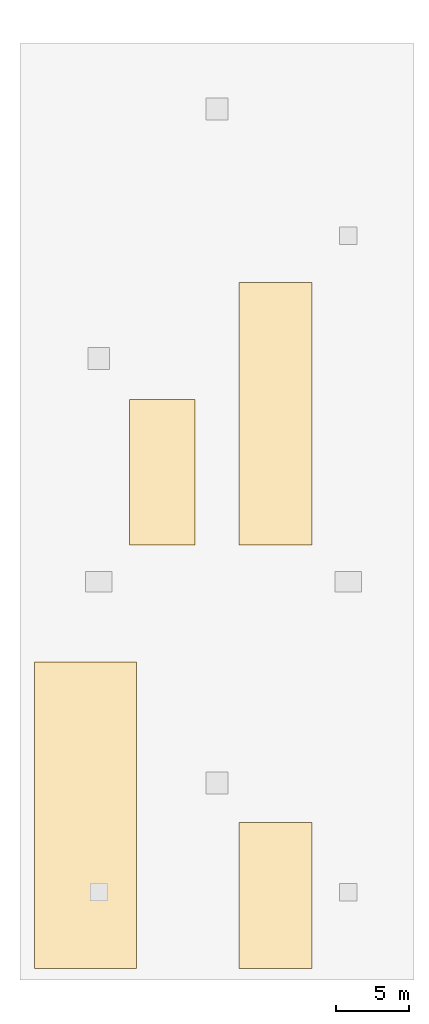
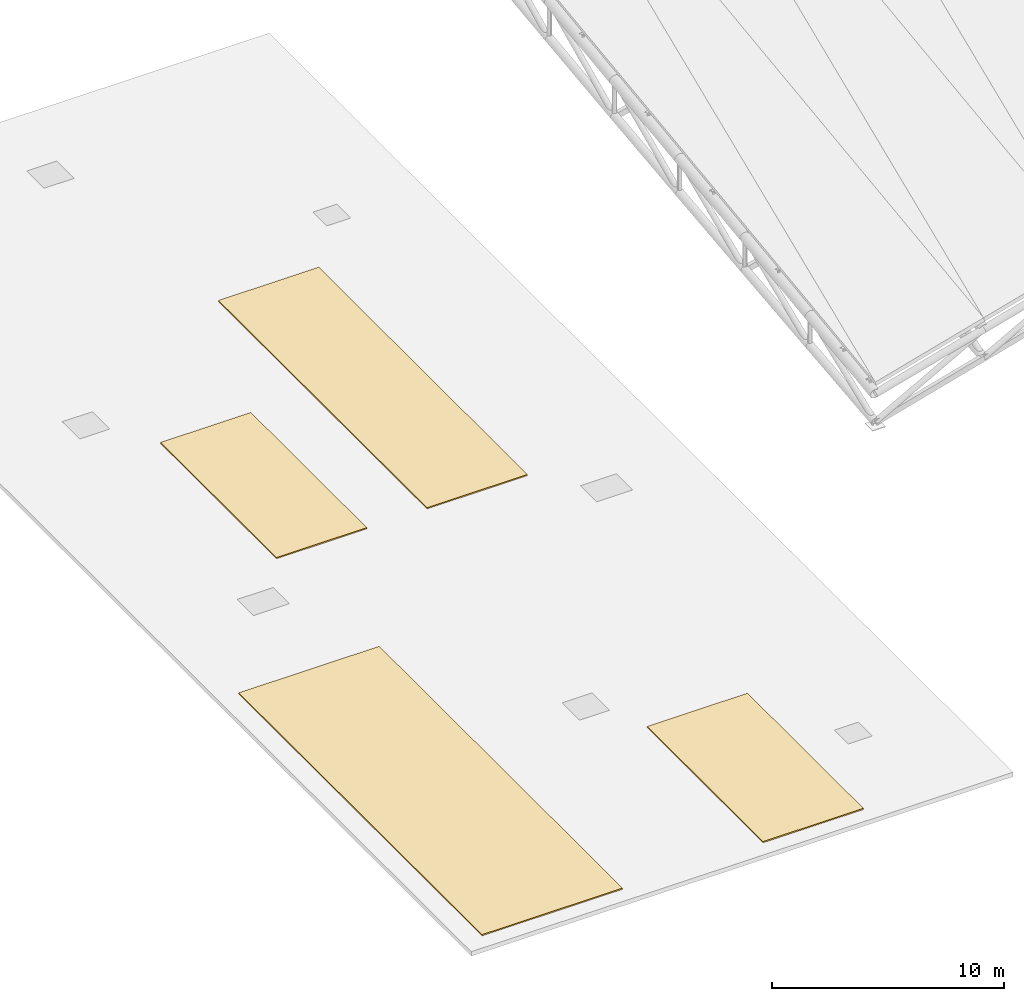
# One storey, part 109 of 109: 4 coverings.
"""IFC4 building model written with IfcOpenShell, lengths in metres."""

from ifc_helpers import new_model, si_unit, direction, frame, origin, place, context, subcontext, project, spatial, polyline, outline, extrude, material, layer, layer_set, type_object, element, save


model = new_model("IFC4")

# Units and contexts
model_context = context("Model", 3, precision=1e-05, world=origin(), true_north=direction((0.0, 1.0)))
body_context = subcontext(model_context, "Body", "Model", "MODEL_VIEW")
ifc_project = project(units=[si_unit("LENGTHUNIT", "METRE"), si_unit("AREAUNIT", "SQUARE_METRE"), si_unit("VOLUMEUNIT", "CUBIC_METRE"), si_unit("PLANEANGLEUNIT", "RADIAN"), si_unit("MASSUNIT", "GRAM", prefix="KILO")], contexts=[model_context])

# Site, building, storey
site_placement = place(None, origin())
site = spatial("IfcSite", under=ifc_project, at=site_placement, CompositionType="ELEMENT")
building_placement = place(site_placement, origin())
building = spatial("IfcBuilding", under=site, at=building_placement, Name="Suirenkawa Promenade Aquatics Centre", CompositionType="ELEMENT")
storey_placement = place(building_placement, frame((0.0, 0.0, 22.800048828125)))
storey = spatial("IfcBuildingStorey", under=building, at=storey_placement, Name="ROOF", CompositionType="ELEMENT", Elevation=22.800048828125)

# Coverings
ifc_material = material(Name="High-SRI fluororesin white standing-seam aluminium", Category="aluminium")
ifc_layer = layer(ifc_material, 0.06494140625, Name="High-SRI fluororesin white standing-seam aluminium", Category="aluminium")
ifc_layer_set = layer_set([ifc_layer], Name="High-SRI fluororesin white standing-seam aluminium")
covering_type = type_object("IfcCoveringType", Name="CVT-ROOF-SRI82", PredefinedType="ROOFING", material=ifc_layer_set)
covering_1_placement = place(storey_placement, origin())
element("IfcCovering", 1, at=covering_1_placement, inside=storey, type_object=covering_type, Name="Cool roof membrane RF-01 CVR-001", PredefinedType="ROOFING", context=body_context, shape_type="SweptSolid", body=[
    extrude(outline(polyline([(1.0, 5.0), (8.0, 5.0), (8.0, 26.0), (1.0, 26.0), (1.0, 5.0)])), origin(), (0.0, 0.0, 1.0), 0.06494140625),
])
covering_2_placement = place(storey_placement, origin())
element("IfcCovering", 2, at=covering_2_placement, inside=storey, type_object=covering_type, Name="Cool roof membrane RF-01 CVR-002", PredefinedType="ROOFING", context=body_context, shape_type="SweptSolid", body=[
    extrude(outline(polyline([(15.0, 5.0), (20.0, 5.0), (20.0, 15.0), (15.0, 15.0), (15.0, 5.0)])), origin(), (0.0, 0.0, 1.0), 0.06494140625),
])
covering_3_placement = place(storey_placement, origin())
element("IfcCovering", 3, at=covering_3_placement, inside=storey, type_object=covering_type, Name="Cool roof membrane RF-01 CVR-003", PredefinedType="ROOFING", context=body_context, shape_type="SweptSolid", body=[
    extrude(outline(polyline([(7.5, 34.0), (12.0, 34.0), (12.0, 44.0), (7.5, 44.0), (7.5, 34.0)])), origin(), (0.0, 0.0, 1.0), 0.06494140625),
])
covering_4_placement = place(storey_placement, origin())
element("IfcCovering", 4, at=covering_4_placement, inside=storey, type_object=covering_type, Name="Cool roof membrane RF-01 CVR-004", PredefinedType="ROOFING", context=body_context, shape_type="SweptSolid", body=[
    extrude(outline(polyline([(15.0, 34.0), (20.0, 34.0), (20.0, 52.0), (15.0, 52.0), (15.0, 34.0)])), origin(), (0.0, 0.0, 1.0), 0.06494140625),
])

save(model, "model.ifc")
